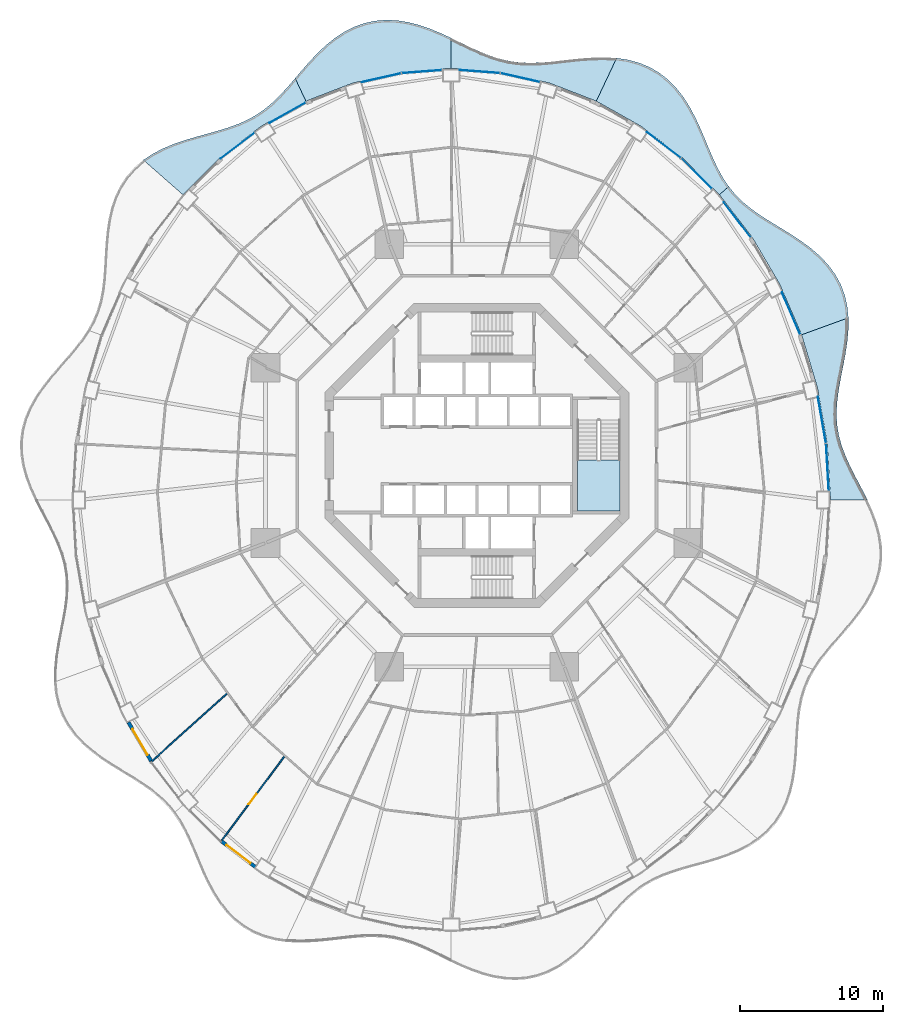
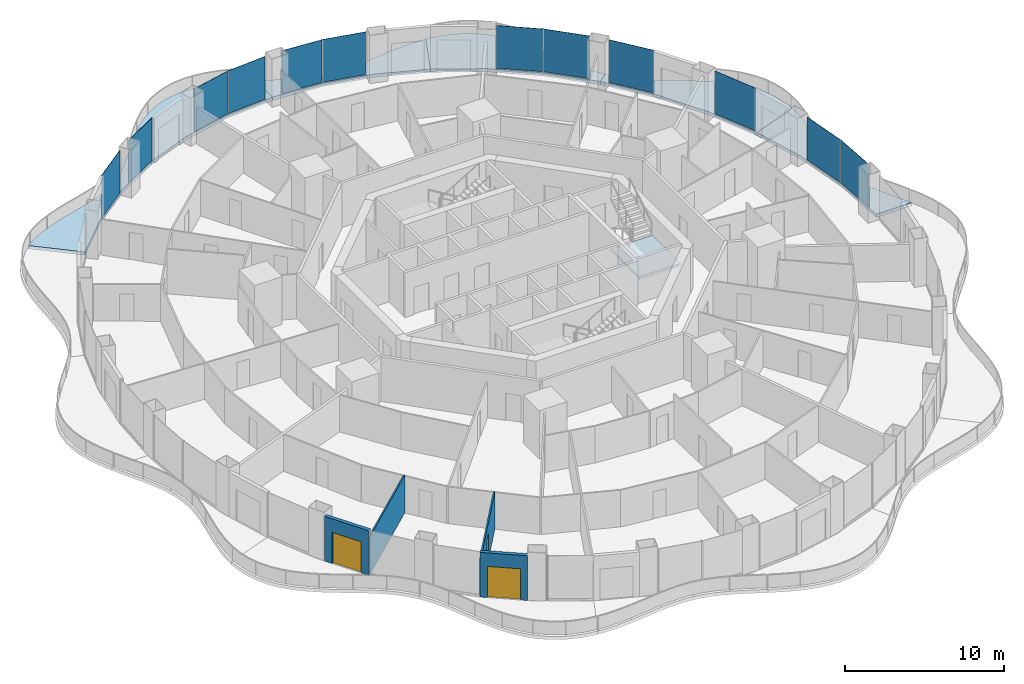
# One storey, part 11 of 20: 12 plates, 7 slabs, 4 walls, 3 doors, 3 openings, 13 elements without a shape of their own.
"""IFC4 building model written with IfcOpenShell, lengths in metres."""

from ifc_helpers import new_model, si_unit, direction, frame, frame_2d, origin, origin_2d, place, context, subcontext, project, spatial, polyline, rectangle, outline, extrude, material, layer, layer_set, type_object, element, fill, aggregate, save


model = new_model("IFC4")

# Units and contexts
model_context = context("Model", 3, precision=1e-05, world=origin(), true_north=direction((0.0, 1.0)))
body_context = subcontext(model_context, "Body", "Model", "MODEL_VIEW")
ifc_project = project(units=[si_unit("LENGTHUNIT", "METRE"), si_unit("AREAUNIT", "SQUARE_METRE"), si_unit("VOLUMEUNIT", "CUBIC_METRE"), si_unit("PLANEANGLEUNIT", "RADIAN"), si_unit("MASSUNIT", "GRAM", prefix="KILO")], contexts=[model_context])

# Site, building, storey
site_placement = place(None, origin())
site = spatial("IfcSite", under=ifc_project, at=site_placement, CompositionType="ELEMENT")
building_placement = place(site_placement, origin())
building = spatial("IfcBuilding", under=site, at=building_placement, Name="Nagisa Residences", CompositionType="ELEMENT")
storey_placement = place(building_placement, frame((0.0, 0.0, 152.89990234375)))
storey = spatial("IfcBuildingStorey", under=building, at=storey_placement, Name="L38", CompositionType="ELEMENT", Elevation=152.89990234375)

# Slabs
ifc_material_1 = material(Name="Concrete C40/50", Category="concrete")
ifc_layer_1 = layer(ifc_material_1, 0.25)
ifc_layer_set_1 = layer_set([ifc_layer_1], Name="BALCONY SLAB 250")
slab_type_1 = type_object("IfcSlabType", Name="BALCONY SLAB 250", PredefinedType="FLOOR", material=ifc_layer_set_1)
slab_1_placement = place(storey_placement, frame((0.0, 0.0, -0.25)))
element("IfcSlab", 1, at=slab_1_placement, inside=storey, type_object=slab_type_1, Name="slab:L38:bal00", PredefinedType="FLOOR", context=body_context, shape_type="SweptSolid", body=[
    extrude(outline(polyline([(27.319580078125, -3.11767578125), (26.923095703125, -2.333740234375), (26.5205078125, -1.56640625), (26.137451171875, -0.813720703125), (25.797119140625, -0.071533203125), (25.5185546875, 0.665283203125), (25.315185546875, 1.403564453125), (25.194091796875, 2.1494140625), (25.155517578125, 2.909423828125), (25.19287109375, 3.6884765625), (25.292724609375, 4.48974609375), (25.43701171875, 5.31396484375), (25.60302734375, 6.159423828125), (25.765869140625, 7.021484375), (25.89990234375, 7.893310546875), (25.980224609375, 8.765625), (25.985595703125, 9.6279296875), (22.715087890625, 8.4375), (23.830810546875, 4.697265625), (24.508056640625, 0.823486328125), (24.735107421875, -3.11767578125), (27.319580078125, -3.11767578125)])), origin(), (0.0, 0.0, 1.0), 0.25),
])
slab_2_placement = place(storey_placement, frame((0.0, 0.0, -0.25)))
element("IfcSlab", 2, at=slab_2_placement, inside=storey, type_object=slab_type_1, Name="slab:L38:bal01", PredefinedType="FLOOR", context=body_context, shape_type="SweptSolid", body=[
    extrude(outline(polyline([(25.985595703125, 9.6279296875), (25.902587890625, 10.443603515625), (25.721923828125, 11.22998046875), (25.438232421875, 11.977783203125), (25.052001953125, 12.680419921875), (24.569091796875, 13.33349609375), (24.00146484375, 13.935302734375), (23.3642578125, 14.487548828125), (22.6767578125, 14.995849609375), (21.959716796875, 15.468017578125), (21.23388671875, 15.9150390625), (20.520263671875, 16.349853515625), (19.836181640625, 16.786376953125), (19.196533203125, 17.238525390625), (18.61083984375, 17.719482421875), (18.084228515625, 18.239990234375), (17.616943359375, 18.807861328125), (16.963134765625, 18.2333984375), (19.251708984375, 15.263916015625), (21.179931640625, 11.979736328125), (22.715087890625, 8.4375), (25.985595703125, 9.6279296875)])), origin(), (0.0, 0.0, 1.0), 0.25),
])
slab_3_placement = place(storey_placement, frame((0.0, 0.0, -0.25)))
element("IfcSlab", 3, at=slab_3_placement, inside=storey, type_object=slab_type_1, Name="slab:L38:bal02", PredefinedType="FLOOR", context=body_context, shape_type="SweptSolid", body=[
    extrude(outline(polyline([(17.616943359375, 18.807861328125), (17.2216796875, 19.3974609375), (16.867431640625, 20.0341796875), (16.542724609375, 20.71435546875), (16.234130859375, 21.430419921875), (15.9267578125, 22.171630859375), (15.605712890625, 22.92431640625), (15.2568359375, 23.672607421875), (14.867431640625, 24.3994140625), (14.427734375, 25.087646484375), (13.93017578125, 25.720458984375), (13.371826171875, 26.283935546875), (12.75244140625, 26.76611328125), (12.075439453125, 27.1591796875), (11.34716796875, 27.45947265625), (10.57666015625, 27.668212890625), (9.7744140625, 27.791259765625), (8.3544921875, 24.77880859375), (11.467529296875, 23.031982421875), (14.353515625, 20.837646484375), (16.963134765625, 18.2333984375), (17.616943359375, 18.807861328125)])), origin(), (0.0, 0.0, 1.0), 0.25),
])
slab_4_placement = place(storey_placement, frame((0.0, 0.0, -0.25)))
element("IfcSlab", 4, at=slab_4_placement, inside=storey, type_object=slab_type_1, Name="slab:L38:bal03", PredefinedType="FLOOR", context=body_context, shape_type="SweptSolid", body=[
    extrude(outline(polyline([(9.7744140625, 27.791259765625), (8.98193359375, 27.837646484375), (8.18115234375, 27.826171875), (7.381591796875, 27.771728515625), (6.591552734375, 27.69140625), (5.817626953125, 27.602783203125), (5.06396484375, 27.523681640625), (4.3330078125, 27.469970703125), (3.623779296875, 27.45556640625), (2.934326171875, 27.49169921875), (2.260009765625, 27.5849609375), (1.59521484375, 27.73828125), (0.93359375, 27.94970703125), (0.268798828125, 28.212890625), (-0.405517578125, 28.517578125), (-1.093994140625, 28.849609375), (-1.800048828125, 29.192626953125), (-1.800048828125, 27.077392578125), (1.66357421875, 26.819091796875), (5.06787109375, 26.04833984375), (8.3544921875, 24.77880859375), (9.7744140625, 27.791259765625)])), origin(), (0.0, 0.0, 1.0), 0.25),
])
slab_5_placement = place(storey_placement, frame((0.0, 0.0, -0.25)))
element("IfcSlab", 5, at=slab_5_placement, inside=storey, type_object=slab_type_1, Name="slab:L38:bal04", PredefinedType="FLOOR", context=body_context, shape_type="SweptSolid", body=[
    extrude(outline(polyline([(-1.800048828125, 29.192626953125), (-2.525146484375, 29.52783203125), (-3.268798828125, 29.83642578125), (-4.0283203125, 30.099365234375), (-4.798828125, 30.299560546875), (-5.574462890625, 30.42236328125), (-6.34765625, 30.45654296875), (-7.11083984375, 30.394775390625), (-7.856201171875, 30.234375), (-8.57666015625, 29.9765625), (-9.2666015625, 29.6279296875), (-9.922119140625, 29.198486328125), (-10.54150390625, 28.70166015625), (-11.12548828125, 28.1533203125), (-11.67724609375, 27.571533203125), (-12.202392578125, 26.97412109375), (-12.70849609375, 26.378662109375), (-11.95458984375, 24.77880859375), (-8.667724609375, 26.04833984375), (-5.263427734375, 26.819091796875), (-1.800048828125, 27.077392578125), (-1.800048828125, 29.192626953125)])), origin(), (0.0, 0.0, 1.0), 0.25),
])
slab_6_placement = place(storey_placement, frame((0.0, 0.0, -0.25)))
element("IfcSlab", 6, at=slab_6_placement, inside=storey, type_object=slab_type_1, Name="slab:L38:bal05", PredefinedType="FLOOR", context=body_context, shape_type="SweptSolid", body=[
    extrude(outline(polyline([(-12.70849609375, 26.378662109375), (-13.22314453125, 25.78076171875), (-13.737548828125, 25.218017578125), (-14.26318359375, 24.702392578125), (-14.810546875, 24.241455078125), (-15.387939453125, 23.83837890625), (-16.002197265625, 23.491455078125), (-16.65673828125, 23.195068359375), (-17.351806640625, 22.939453125), (-18.083251953125, 22.71240234375), (-18.8447265625, 22.498779296875), (-19.625732421875, 22.28271484375), (-20.413330078125, 22.048583984375), (-21.19287109375, 21.78125), (-21.94873046875, 21.467529296875), (-22.66552734375, 21.097412109375), (-23.328125, 20.663330078125), (-20.56298828125, 18.2333984375), (-17.953369140625, 20.837646484375), (-15.0673828125, 23.031982421875), (-11.95458984375, 24.77880859375), (-12.70849609375, 26.378662109375)])), origin(), (0.0, 0.0, 1.0), 0.25),
])

# Curtain wall, plate
ifc_material_2 = material(Name="Concrete-coloured aluminium curtain wall system", Category="concrete")
ifc_layer_2 = layer(ifc_material_2, 0.159912109375)
ifc_layer_set_2 = layer_set([ifc_layer_2], Name="CW1 CURTAIN WALL")
curtain_wall_type = type_object("IfcCurtainWallType", Name="CW1 CURTAIN WALL", PredefinedType="NOTDEFINED", material=ifc_layer_set_2)
curtain_wall_1_placement = place(storey_placement, origin())
curtain_wall_1 = element("IfcCurtainWall", 7, at=curtain_wall_1_placement, inside=storey, type_object=curtain_wall_type, Name="cw:CW1:L38:00", PredefinedType="NOTDEFINED")
ifc_material_3 = material(Name="Clear laminated glass", Category="glass")
ifc_layer_3 = layer(ifc_material_3, 0.028076171875)
ifc_layer_set_3 = layer_set([ifc_layer_3], Name="CW1 GLASS PANEL")
plate_type = type_object("IfcPlateType", Name="CW1 GLASS PANEL", PredefinedType="CURTAIN_PANEL", material=ifc_layer_set_3)
plate_1_placement = place(storey_placement, frame((24.522705078125, -0.822265625, 0.150146484375), z_axis=(0.0, 0.0, 1.0), x_axis=(-0.057503492216, 0.998345305184, 0.0)))
plate_1 = element("IfcPlate", 8, at=plate_1_placement, type_object=plate_type, Name="CW1 panel", PredefinedType="CURTAIN_PANEL", context=body_context, shape_type="SweptSolid", body=[
    extrude(rectangle(XDim=3.287841796875, YDim=0.028076171875, at=origin_2d()), origin(), (0.0, 0.0, 1.0), 3.2900390625),
])
aggregate(curtain_wall_1, [plate_1])

curtain_wall_2_placement = place(storey_placement, origin())
curtain_wall_2 = element("IfcCurtainWall", 9, at=curtain_wall_2_placement, inside=storey, type_object=curtain_wall_type, Name="cw:CW1:L38:01", PredefinedType="NOTDEFINED")
plate_2_placement = place(storey_placement, frame((24.13720703125, 2.480712890625, 0.150146484375), z_axis=(0.0, 0.0, 1.0), x_axis=(-0.172190868898, 0.985063604377, 0.0)))
plate_2 = element("IfcPlate", 10, at=plate_2_placement, type_object=plate_type, Name="CW1 panel", PredefinedType="CURTAIN_PANEL", context=body_context, shape_type="SweptSolid", body=[
    extrude(rectangle(XDim=3.2724609375, YDim=0.028076171875, at=origin_2d()), origin(), (0.0, 0.0, 1.0), 3.2900390625),
])
aggregate(curtain_wall_2, [plate_2])

curtain_wall_3_placement = place(storey_placement, origin())
curtain_wall_3 = element("IfcCurtainWall", 11, at=curtain_wall_3_placement, inside=storey, type_object=curtain_wall_type, Name="cw:CW1:L38:03", PredefinedType="NOTDEFINED")
plate_3_placement = place(storey_placement, frame((21.9814453125, 9.928955078125, 0.150146484375), z_axis=(0.0, 0.0, 1.0), x_axis=(-0.397635934147, 0.917543276295, 0.0)))
plate_3 = element("IfcPlate", 12, at=plate_3_placement, type_object=plate_type, Name="CW1 panel", PredefinedType="CURTAIN_PANEL", context=body_context, shape_type="SweptSolid", body=[
    extrude(rectangle(XDim=3.20068359375, YDim=0.028076171875, at=origin_2d()), origin(), (0.0, 0.0, 1.0), 3.2900390625),
])
aggregate(curtain_wall_3, [plate_3])

curtain_wall_4_placement = place(storey_placement, origin())
curtain_wall_4 = element("IfcCurtainWall", 13, at=curtain_wall_4_placement, inside=storey, type_object=curtain_wall_type, Name="cw:CW1:L38:05", PredefinedType="NOTDEFINED")
plate_4_placement = place(storey_placement, frame((18.208740234375, 16.48583984375, 0.150146484375), z_axis=(0.0, 0.0, 1.0), x_axis=(-0.610429828235, 0.792070340816, 0.0)))
plate_4 = element("IfcPlate", 14, at=plate_4_placement, type_object=plate_type, Name="CW1 panel", PredefinedType="CURTAIN_PANEL", context=body_context, shape_type="SweptSolid", body=[
    extrude(rectangle(XDim=3.089111328125, YDim=0.028076171875, at=origin_2d()), origin(), (0.0, 0.0, 1.0), 3.2900390625),
])
aggregate(curtain_wall_4, [plate_4])

curtain_wall_5_placement = place(storey_placement, origin())
curtain_wall_5 = element("IfcCurtainWall", 15, at=curtain_wall_5_placement, inside=storey, type_object=curtain_wall_type, Name="cw:CW1:L38:06", PredefinedType="NOTDEFINED")
plate_5_placement = place(storey_placement, frame((15.3681640625, 19.7119140625, 0.150146484375), z_axis=(0.0, 0.0, 1.0), x_axis=(-0.707835924016, 0.706376885714, 0.0)))
plate_5 = element("IfcPlate", 16, at=plate_5_placement, type_object=plate_type, Name="CW1 panel", PredefinedType="CURTAIN_PANEL", context=body_context, shape_type="SweptSolid", body=[
    extrude(rectangle(XDim=3.026611328125, YDim=0.028076171875, at=origin_2d()), origin(), (0.0, 0.0, 1.0), 3.2900390625),
])
aggregate(curtain_wall_5, [plate_5])

curtain_wall_6_placement = place(storey_placement, origin())
curtain_wall_6 = element("IfcCurtainWall", 17, at=curtain_wall_6_placement, inside=storey, type_object=curtain_wall_type, Name="cw:CW1:L38:07", PredefinedType="NOTDEFINED")
plate_6_placement = place(storey_placement, frame((13.076904296875, 21.707763671875, 0.150146484375), z_axis=(0.0, 0.0, 1.0), x_axis=(-0.79603132756, 0.605255421737, 0.0)))
plate_6 = element("IfcPlate", 18, at=plate_6_placement, type_object=plate_type, Name="CW1 panel", PredefinedType="CURTAIN_PANEL", context=body_context, shape_type="SweptSolid", body=[
    extrude(rectangle(XDim=2.965576171875, YDim=0.028076171875, at=origin_2d()), origin(), (0.0, 0.0, 1.0), 3.2900390625),
])
aggregate(curtain_wall_6, [plate_6])

curtain_wall_7_placement = place(storey_placement, origin())
curtain_wall_7 = element("IfcCurtainWall", 19, at=curtain_wall_7_placement, inside=storey, type_object=curtain_wall_type, Name="cw:CW1:L38:10", PredefinedType="NOTDEFINED")
plate_7_placement = place(storey_placement, frame((3.026123046875, 26.428466796875, 0.150146484375), z_axis=(0.0, 0.0, 1.0), x_axis=(-0.975327274089, 0.2207639201, 0.0)))
plate_7 = element("IfcPlate", 20, at=plate_7_placement, type_object=plate_type, Name="CW1 panel", PredefinedType="CURTAIN_PANEL", context=body_context, shape_type="SweptSolid", body=[
    extrude(rectangle(XDim=2.830322265625, YDim=0.028076171875, at=origin_2d()), origin(), (0.0, 0.0, 1.0), 3.2900390625),
])
aggregate(curtain_wall_7, [plate_7])

curtain_wall_8_placement = place(storey_placement, origin())
curtain_wall_8 = element("IfcCurtainWall", 21, at=curtain_wall_8_placement, inside=storey, type_object=curtain_wall_type, Name="cw:CW1:L38:11", PredefinedType="NOTDEFINED")
plate_8_placement = place(storey_placement, frame((0.195068359375, 26.848388671875, 0.150146484375), z_axis=(0.0, 0.0, 1.0), x_axis=(-0.997230168512, 0.074377355493, 0.0)))
plate_8 = element("IfcPlate", 22, at=plate_8_placement, type_object=plate_type, Name="CW1 panel", PredefinedType="CURTAIN_PANEL", context=body_context, shape_type="SweptSolid", body=[
    extrude(rectangle(XDim=2.813232421875, YDim=0.028076171875, at=origin_2d()), origin(), (0.0, 0.0, 1.0), 3.2900390625),
])
aggregate(curtain_wall_8, [plate_8])

curtain_wall_9_placement = place(storey_placement, origin())
curtain_wall_9 = element("IfcCurtainWall", 23, at=curtain_wall_9_placement, inside=storey, type_object=curtain_wall_type, Name="cw:CW1:L38:12", PredefinedType="NOTDEFINED")
plate_9_placement = place(storey_placement, frame((-3.85498046875, 26.84375, 0.150146484375), z_axis=(0.0, 0.0, 1.0), x_axis=(-0.997230168512, -0.074377355493, 0.0)))
plate_9 = element("IfcPlate", 24, at=plate_9_placement, type_object=plate_type, Name="CW1 panel", PredefinedType="CURTAIN_PANEL", context=body_context, shape_type="SweptSolid", body=[
    extrude(rectangle(XDim=2.813232421875, YDim=0.028076171875, at=origin_2d()), origin(), (0.0, 0.0, 1.0), 3.2900390625),
])
aggregate(curtain_wall_9, [plate_9])

curtain_wall_10_placement = place(storey_placement, origin())
curtain_wall_10 = element("IfcCurtainWall", 25, at=curtain_wall_10_placement, inside=storey, type_object=curtain_wall_type, Name="cw:CW1:L38:13", PredefinedType="NOTDEFINED")
plate_10_placement = place(storey_placement, frame((-6.6845703125, 26.415283203125, 0.150146484375), z_axis=(0.0, 0.0, 1.0), x_axis=(-0.975327274089, -0.2207639201, 0.0)))
plate_10 = element("IfcPlate", 26, at=plate_10_placement, type_object=plate_type, Name="CW1 panel", PredefinedType="CURTAIN_PANEL", context=body_context, shape_type="SweptSolid", body=[
    extrude(rectangle(XDim=2.830322265625, YDim=0.028076171875, at=origin_2d()), origin(), (0.0, 0.0, 1.0), 3.2900390625),
])
aggregate(curtain_wall_10, [plate_10])

curtain_wall_11_placement = place(storey_placement, origin())
curtain_wall_11 = element("IfcCurtainWall", 27, at=curtain_wall_11_placement, inside=storey, type_object=curtain_wall_type, Name="cw:CW1:L38:15", PredefinedType="NOTDEFINED")
plate_11_placement = place(storey_placement, frame((-13.236328125, 23.9677734375, 0.150146484375), z_axis=(0.0, 0.0, 1.0), x_axis=(-0.872072377523, -0.489376918501, 0.0)))
plate_11 = element("IfcPlate", 28, at=plate_11_placement, type_object=plate_type, Name="CW1 panel", PredefinedType="CURTAIN_PANEL", context=body_context, shape_type="SweptSolid", body=[
    extrude(rectangle(XDim=2.90966796875, YDim=0.028076171875, at=origin_2d()), origin(), (0.0, 0.0, 1.0), 3.2900390625),
])
aggregate(curtain_wall_11, [plate_11])

curtain_wall_12_placement = place(storey_placement, origin())
curtain_wall_12 = element("IfcCurtainWall", 29, at=curtain_wall_12_placement, inside=storey, type_object=curtain_wall_type, Name="cw:CW1:L38:16", PredefinedType="NOTDEFINED")
plate_12_placement = place(storey_placement, frame((-16.724853515625, 21.67138671875, 0.150146484375), z_axis=(0.0, 0.0, 1.0), x_axis=(-0.79603132756, -0.605255421737, 0.0)))
plate_12 = element("IfcPlate", 30, at=plate_12_placement, type_object=plate_type, Name="CW1 panel", PredefinedType="CURTAIN_PANEL", context=body_context, shape_type="SweptSolid", body=[
    extrude(rectangle(XDim=2.965576171875, YDim=0.028076171875, at=origin_2d()), origin(), (0.0, 0.0, 1.0), 3.2900390625),
])
aggregate(curtain_wall_12, [plate_12])

# Stair, slab
ifc_material_4 = material(Name="Concrete C60", Category="concrete")
stair_type = type_object("IfcStairType", Name="Exit stair", PredefinedType="HALF_TURN_STAIR", material=ifc_material_4)
stair_placement = place(storey_placement, origin())
stair = element("IfcStair", 31, at=stair_placement, inside=storey, type_object=stair_type, Name="L38 Exit stair E", PredefinedType="HALF_TURN_STAIR")
ifc_material_5 = material(Name="Concrete C60", Category="concrete")
ifc_layer_4 = layer(ifc_material_5, 0.199951171875)
ifc_layer_set_4 = layer_set([ifc_layer_4], Name="Stair landing")
slab_type_2 = type_object("IfcSlabType", Name="Stair landing", PredefinedType="LANDING", material=ifc_layer_set_4)
slab_7_placement = place(storey_placement, frame((0.0, 0.0, 1.650146484375)))
slab_7 = element("IfcSlab", 32, at=slab_7_placement, type_object=slab_type_2, Name="ST-E landing 1", PredefinedType="LANDING", context=body_context, shape_type="SweptSolid", body=[
    extrude(outline(polyline([(7.024658203125, -0.324951171875), (7.024658203125, -3.89990234375), (10.024658203125, -3.89990234375), (10.024658203125, -0.324951171875), (7.024658203125, -0.324951171875)])), origin(), (0.0, 0.0, 1.0), 0.199951171875),
])
aggregate(stair, [slab_7])

# Wall
ifc_material_6 = material(Name="Gypsum board on steel studs", Category="steel")
ifc_layer_5 = layer(ifc_material_6, 0.10009765625)
ifc_layer_set_5 = layer_set([ifc_layer_5], Name="Apartment partition 100")
wall_type_1 = type_object("IfcWallType", Name="Apartment partition 100", PredefinedType="PARTITIONING", material=ifc_layer_set_5)
wall_1_placement = place(storey_placement, frame((-17.4697265625, -16.6416015625, 0.0), z_axis=(0.0, 0.0, 1.0), x_axis=(-0.742345465337, -0.670017320742, 0.0)))
element("IfcWall", 33, at=wall_1_placement, inside=storey, type_object=wall_type_1, Name="wall:L38:u64", PredefinedType="PARTITIONING", context=body_context, shape_type="SweptSolid", body=[
    extrude(rectangle(XDim=7.2099609375, YDim=0.10009765625, at=frame_2d((3.60498046875, 0.0))), origin(), (0.0, 0.0, 1.0), 2.905029296875),
])

# Wall, opening, door
wall_2_placement = place(storey_placement, frame((-13.4541015625, -21.0400390625, 0.0), z_axis=(0.0, 0.0, 1.0), x_axis=(-0.597848033124, -0.801609461826, 0.0)))
wall_2 = element("IfcWall", 34, at=wall_2_placement, inside=storey, type_object=wall_type_1, Name="wall:L38:u67", PredefinedType="PARTITIONING", context=body_context, shape_type="SweptSolid", body=[
    extrude(rectangle(XDim=7.486083984375, YDim=0.10009765625, at=frame_2d((3.7431640625, 0.0))), origin(), (0.0, 0.0, 1.0), 2.905029296875),
])
opening_1_placement = place(wall_2_placement, frame((3.29296875, 0.0, 0.0)))
opening_1 = element("IfcOpeningElement", 35, at=opening_1_placement, cuts=wall_2, Name="Opening L38-U55", PredefinedType="OPENING", context=body_context, shape_type="SweptSolid", body=[
    extrude(rectangle(XDim=0.89990234375, YDim=2.10009765625, at=frame_2d((0.449951171875, 1.050048828125))), frame((0.0, 0.06005859375, 0.0), z_axis=(0.0, -1.0, 0.0), x_axis=(1.0, 0.0, 0.0)), (0.0, 0.0, 1.0), 0.1201171875),
])
ifc_material_7 = material(Name="Timber door set", Category="wood")
door_type_1 = type_object("IfcDoorType", Name="Apartment door 900x2100", OperationType="NOTDEFINED", PredefinedType="DOOR", material=ifc_material_7)
door_1_placement = place(opening_1_placement, origin())
door_1 = element("IfcDoor", 36, at=door_1_placement, inside=storey, type_object=door_type_1, Name="Door to master bedroom, Apartment 38F", OperationType="SINGLE_SWING_LEFT", OverallHeight=2.10009765625, OverallWidth=0.89990234375, PredefinedType="DOOR", context=body_context, shape_type="SweptSolid", body=[
    extrude(rectangle(XDim=0.89990234375, YDim=2.10009765625, at=frame_2d((0.449951171875, 1.050048828125))), frame((0.0, 0.02490234375, 0.0), z_axis=(0.0, -1.0, 0.0), x_axis=(1.0, 0.0, 0.0)), (0.0, 0.0, 1.0), 0.050048828125),
])
fill(opening_1, door_1)

ifc_material_8 = material(Name="Precast concrete C40/50", Category="concrete")
ifc_layer_6 = layer(ifc_material_8, 0.25)
ifc_layer_set_6 = layer_set([ifc_layer_6], Name="BALCONY DOOR WALL 250")
wall_type_2 = type_object("IfcWallType", Name="BALCONY DOOR WALL 250", PredefinedType="SOLIDWALL", material=ifc_layer_set_6)
wall_3_placement = place(storey_placement, frame((-22.743896484375, -21.43603515625, 0.0), z_axis=(0.0, 0.0, 1.0), x_axis=(-0.506314982873, 0.862348617508, 0.0)))
wall_3 = element("IfcWall", 37, at=wall_3_placement, inside=storey, type_object=wall_type_2, Name="wall:L38:bay28", PredefinedType="SOLIDWALL", context=body_context, shape_type="SweptSolid", body=[
    extrude(rectangle(XDim=3.20849609375, YDim=0.25, at=frame_2d((1.604248046875, 0.0))), origin(), (0.0, 0.0, 1.0), 3.440185546875),
])
opening_2_placement = place(wall_3_placement, frame((0.55419921875, 0.0, 0.0)))
opening_2 = element("IfcOpeningElement", 38, at=opening_2_placement, cuts=wall_3, Name="Opening BD-L38-10", PredefinedType="OPENING", context=body_context, shape_type="SweptSolid", body=[
    extrude(rectangle(XDim=2.10009765625, YDim=2.39990234375, at=frame_2d((1.050048828125, 1.199951171875))), frame((0.0, 0.135009765625, 0.0), z_axis=(0.0, -1.0, 0.0), x_axis=(1.0, 0.0, 0.0)), (0.0, 0.0, 1.0), 0.27001953125),
])
ifc_material_9 = material(Name="Aluminium and clear glass", Category="aluminium")
door_type_2 = type_object("IfcDoorType", Name="BALCONY SLIDING DOOR 2100x2400", OperationType="SLIDING_TO_LEFT", PredefinedType="DOOR", material=ifc_material_9)
door_2_placement = place(opening_2_placement, origin())
door_2 = element("IfcDoor", 39, at=door_2_placement, inside=storey, type_object=door_type_2, Name="door:L38:bay28", OperationType="SLIDING_TO_LEFT", OverallHeight=2.39990234375, OverallWidth=2.10009765625, PredefinedType="DOOR", context=body_context, shape_type="SweptSolid", body=[
    extrude(rectangle(XDim=2.10009765625, YDim=2.39990234375, at=frame_2d((1.050048828125, 1.199951171875))), frame((0.0, 0.02490234375, 0.0), z_axis=(0.0, -1.0, 0.0), x_axis=(1.0, 0.0, 0.0)), (0.0, 0.0, 1.0), 0.050048828125),
])
fill(opening_2, door_2)

wall_4_placement = place(storey_placement, frame((-15.469482421875, -28.8046875, 0.0), z_axis=(0.0, 0.0, 1.0), x_axis=(-0.796022231079, 0.605267385233, 0.0)))
wall_4 = element("IfcWall", 40, at=wall_4_placement, inside=storey, type_object=wall_type_2, Name="wall:L38:bay31", PredefinedType="SOLIDWALL", context=body_context, shape_type="SweptSolid", body=[
    extrude(rectangle(XDim=3.025634765625, YDim=0.25, at=frame_2d((1.5126953125, 0.0))), origin(), (0.0, 0.0, 1.0), 3.440185546875),
])
opening_3_placement = place(wall_4_placement, frame((0.462646484375, 0.0, 0.0)))
opening_3 = element("IfcOpeningElement", 41, at=opening_3_placement, cuts=wall_4, Name="Opening BD-L38-11", PredefinedType="OPENING", context=body_context, shape_type="SweptSolid", body=[
    extrude(rectangle(XDim=2.10009765625, YDim=2.39990234375, at=frame_2d((1.050048828125, 1.199951171875))), frame((0.0, 0.135009765625, 0.0), z_axis=(0.0, -1.0, 0.0), x_axis=(1.0, 0.0, 0.0)), (0.0, 0.0, 1.0), 0.27001953125),
])
door_3_placement = place(opening_3_placement, origin())
door_3 = element("IfcDoor", 42, at=door_3_placement, inside=storey, type_object=door_type_2, Name="door:L38:bay31", OperationType="SLIDING_TO_LEFT", OverallHeight=2.39990234375, OverallWidth=2.10009765625, PredefinedType="DOOR", context=body_context, shape_type="SweptSolid", body=[
    extrude(rectangle(XDim=2.10009765625, YDim=2.39990234375, at=frame_2d((1.050048828125, 1.199951171875))), frame((0.0, 0.02490234375, 0.0), z_axis=(0.0, -1.0, 0.0), x_axis=(1.0, 0.0, 0.0)), (0.0, 0.0, 1.0), 0.050048828125),
])
fill(opening_3, door_3)

save(model, "model.ifc")
